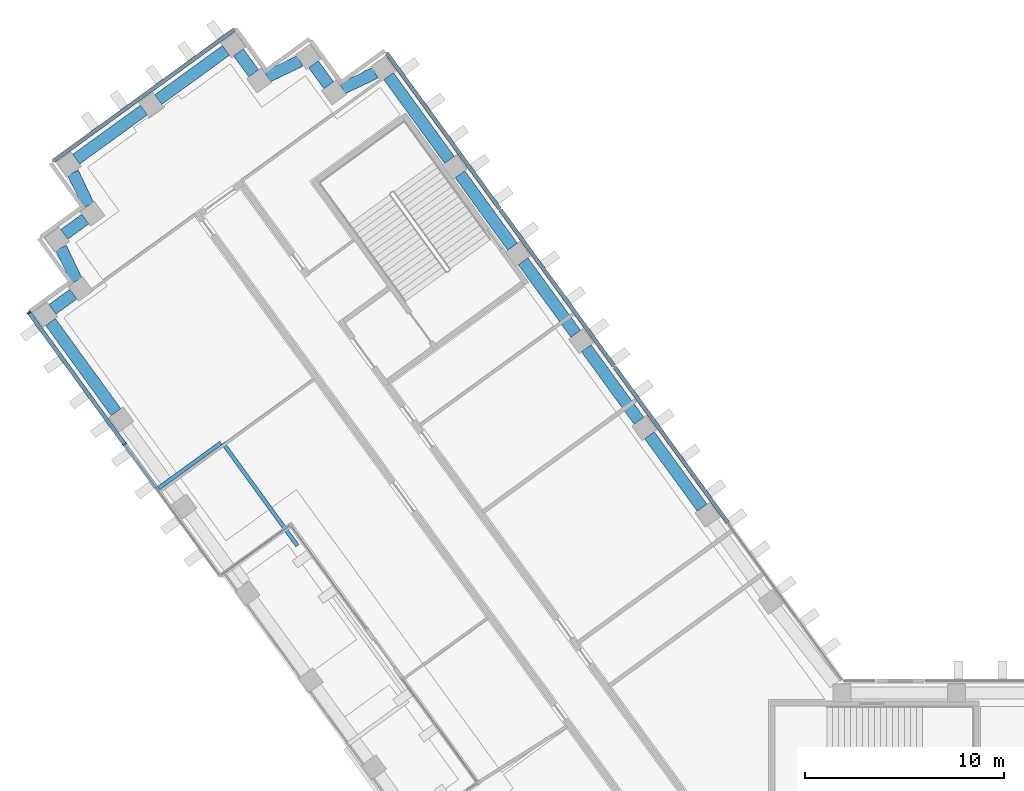
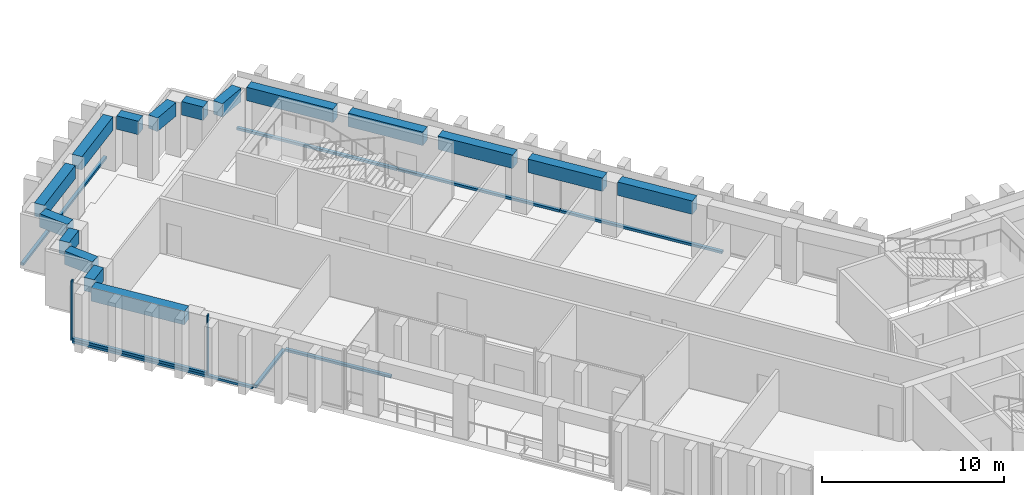
"""IFC4 building model written with IfcOpenShell, lengths in metres."""

from ifc_helpers import new_model, si_unit, direction, frame, origin, origin_2d, place, context, subcontext, project, spatial, rectangle, extrude, material, material_profile, profile_set, type_object, element, aggregate, save


model = new_model("IFC4")

# Units and contexts
model_context = context("Model", 3, precision=1e-05, world=origin(), true_north=direction((0.0, 1.0)))
body_context = subcontext(model_context, "Body", "Model", "MODEL_VIEW")
ifc_project = project(units=[si_unit("LENGTHUNIT", "METRE"), si_unit("AREAUNIT", "SQUARE_METRE"), si_unit("VOLUMEUNIT", "CUBIC_METRE"), si_unit("PLANEANGLEUNIT", "RADIAN"), si_unit("MASSUNIT", "GRAM", prefix="KILO")], contexts=[model_context])

# Site, building, storey
site_placement = place(None, origin())
site = spatial("IfcSite", under=ifc_project, at=site_placement, CompositionType="ELEMENT")
building_placement = place(site_placement, origin())
building = spatial("IfcBuilding", under=site, at=building_placement, Name="Quipu Civic Tower", CompositionType="ELEMENT")
storey_1_placement = place(building_placement, frame((0.0, 0.0, 51.0)))
storey_1 = spatial("IfcBuildingStorey", under=building, at=storey_1_placement, Name="L11", CompositionType="ELEMENT", Elevation=51.0)

# Curtain wall, members
ifc_material_1 = material(Name="Insulated glass unit", Category="glass")
curtain_wall_type = type_object("IfcCurtainWallType", Name="Office curtain wall CW1", PredefinedType="NOTDEFINED", material=ifc_material_1)
curtain_wall_1_placement = place(storey_1_placement, origin())
curtain_wall_1 = element("IfcCurtainWall", 1, at=curtain_wall_1_placement, inside=storey_1, type_object=curtain_wall_type, Name="Office curtain wall CW1 L11 run 1", PredefinedType="NOTDEFINED")
ifc_material_2 = material(Name="Anodised aluminium", Category="aluminium")
ifc_material_profile_1 = material_profile(ifc_material_2, rectangle(XDim=0.199951171875, YDim=0.080078125, at=origin_2d()), Name="RECT 200x80")
ifc_profile_set_1 = profile_set([ifc_material_profile_1], Name="Anodised aluminium")
member_type_1 = type_object("IfcMemberType", Name="Mullion CW1", PredefinedType="MULLION", material=ifc_profile_set_1)
member_1_placement = place(storey_1_placement, frame((-55.23046875, 29.606201171875, 0.080078125), z_axis=(0.0, 0.0, 1.0), x_axis=(0.809016809019, 0.587785507413, 0.0)))
member_1 = element("IfcMember", 2, at=member_1_placement, type_object=member_type_1, Name="CW1 mullion 1", PredefinedType="MULLION", context=body_context, shape_type="SweptSolid", body=[
    extrude(rectangle(XDim=0.199951171875, YDim=0.080078125, at=origin_2d()), origin(), (0.0, 0.0, 1.0), 4.0),
])
member_2_placement = place(storey_1_placement, frame((-50.434326171875, 23.004638671875, 0.080078125), z_axis=(0.0, 0.0, 1.0), x_axis=(0.809016809019, 0.587785507413, 0.0)))
member_2 = element("IfcMember", 3, at=member_2_placement, type_object=member_type_1, Name="CW1 mullion 2", PredefinedType="MULLION", context=body_context, shape_type="SweptSolid", body=[
    extrude(rectangle(XDim=0.199951171875, YDim=0.080078125, at=origin_2d()), origin(), (0.0, 0.0, 1.0), 4.0),
])

# Beams
ifc_material_3 = material(Name="Concrete C50/60", Category="concrete")
ifc_material_profile_2 = material_profile(ifc_material_3, rectangle(XDim=0.60009765625, YDim=0.89990234375, at=origin_2d()), Name="RC600x900")
ifc_profile_set_2 = profile_set([ifc_material_profile_2], Name="Concrete C50/60")
beam_type = type_object("IfcBeamType", Name="Spandrel beam RC 600x900 C50/60", PredefinedType="SPANDREL", material=ifc_profile_set_2)
for number, where, z_axis, x_axis, name in (
    (4, (-21.411865234375, 19.807861328125, 3.199951171875), (-0.587778073121, 0.809022210299, 0.0), (-0.809022210299, -0.587778073121, 0.0), "Spandrel beam L11 W-IN-02 to W-IN-03"),
    (5, (-24.585693359375, 24.1767578125, 3.199951171875), (-0.587778073121, 0.809022210299, 0.0), (-0.809022210299, -0.587778073121, 0.0), "Spandrel beam L11 W-IN-03 to W-IN-04"),
    (6, (-27.759765625, 28.545654296875, 3.199951171875), (-0.587742561851, 0.809048009076, 0.0), (-0.809048009076, -0.587742561851, 0.0), "Spandrel beam L11 W-IN-04 to W-IN-05"),
    (7, (-30.93359375, 32.914306640625, 3.199951171875), (-0.587716763865, 0.809066749701, 0.0), (-0.809066749701, -0.587716763865, 0.0), "Spandrel beam L11 W-IN-05 to W-IN-06"),
):
    element("IfcBeam", number, at=place(storey_1_placement, frame(where, z_axis=z_axis, x_axis=x_axis)), inside=storey_1, type_object=beam_type, Name=name, PredefinedType="SPANDREL", context=body_context, shape_type="SweptSolid", body=[
        extrude(rectangle(XDim=0.60009765625, YDim=0.89990234375, at=origin_2d()), origin(), (0.0, 0.0, 1.0), 4.5),
    ])
beam_1_placement = place(storey_1_placement, frame((-34.107421875, 37.283203125, 3.199951171875), z_axis=(-0.587732861365, 0.80905505602, 0.0), x_axis=(-0.80905505602, -0.587732861365, 0.0)))
element("IfcBeam", 8, at=beam_1_placement, inside=storey_1, type_object=beam_type, Name="Spandrel beam L11 W-IN-06 to T-Wi.0-W50", PredefinedType="SPANDREL", context=body_context, shape_type="SweptSolid", body=[
    extrude(rectangle(XDim=0.60009765625, YDim=0.89990234375, at=origin_2d()), origin(), (0.0, 0.0, 1.0), 5.194580078125),
])
beam_2_placement = place(storey_1_placement, frame((-37.837890625, 41.65283203125, 3.199951171875), z_axis=(-0.90245397739, -0.430786279601, 0.0), x_axis=(0.430786279601, -0.90245397739, 0.0)))
element("IfcBeam", 9, at=beam_2_placement, inside=storey_1, type_object=beam_type, Name="Spandrel beam L11 T-Wi.0-W50 to T-Wi.1-W50", PredefinedType="SPANDREL", context=body_context, shape_type="SweptSolid", body=[
    extrude(rectangle(XDim=0.60009765625, YDim=0.89990234375, at=origin_2d()), origin(), (0.0, 0.0, 1.0), 1.83349609375),
])
beam_3_placement = place(storey_1_placement, frame((-40.170166015625, 41.02978515625, 3.199951171875), z_axis=(-0.588461937499, 0.808524921146, 0.0), x_axis=(-0.808524921146, -0.588461937499, 0.0)))
element("IfcBeam", 10, at=beam_3_placement, inside=storey_1, type_object=beam_type, Name="Spandrel beam L11 T-Wi.1-W50 to T-Wi.2-W50", PredefinedType="SPANDREL", context=body_context, shape_type="SweptSolid", body=[
    extrude(rectangle(XDim=0.60009765625, YDim=0.89990234375, at=origin_2d()), origin(), (0.0, 0.0, 1.0), 1.30029296875),
])
beam_4_placement = place(storey_1_placement, frame((-41.613037109375, 42.248046875, 3.199951171875), z_axis=(-0.902613270121, -0.430452418511, 0.0), x_axis=(0.430452418511, -0.902613270121, 0.0)))
element("IfcBeam", 11, at=beam_4_placement, inside=storey_1, type_object=beam_type, Name="Spandrel beam L11 T-Wi.2-W50 to T-Wi.3-W50", PredefinedType="SPANDREL", context=body_context, shape_type="SweptSolid", body=[
    extrude(rectangle(XDim=0.60009765625, YDim=0.89990234375, at=origin_2d()), origin(), (0.0, 0.0, 1.0), 1.826416015625),
])
beam_5_placement = place(storey_1_placement, frame((-43.939453125, 41.628662109375, 3.199951171875), z_axis=(-0.588383572423, 0.808581951136, 0.0), x_axis=(-0.808581951136, -0.588383572423, 0.0)))
element("IfcBeam", 12, at=beam_5_placement, inside=storey_1, type_object=beam_type, Name="Spandrel beam L11 T-Wi.3-W50 to T-Wi.4-W50", PredefinedType="SPANDREL", context=body_context, shape_type="SweptSolid", body=[
    extrude(rectangle(XDim=0.60009765625, YDim=0.89990234375, at=origin_2d()), origin(), (0.0, 0.0, 1.0), 1.3017578125),
])
beam_6_placement = place(storey_1_placement, frame((-45.333984375, 42.780517578125, 3.199951171875), z_axis=(-0.808969789945, -0.58785021813, 0.0), x_axis=(0.58785021813, -0.808969789945, 0.0)))
element("IfcBeam", 13, at=beam_6_placement, inside=storey_1, type_object=beam_type, Name="Spandrel beam L11 T-Wi.4-W50 to TIP-W-01-W50", PredefinedType="SPANDREL", context=body_context, shape_type="SweptSolid", body=[
    extrude(rectangle(XDim=0.60009765625, YDim=0.89990234375, at=origin_2d()), origin(), (0.0, 0.0, 1.0), 4.199951171875),
])
beam_7_placement = place(storey_1_placement, frame((-49.459716796875, 39.782470703125, 3.199951171875), z_axis=(-0.808959834407, -0.587863918196, 0.0), x_axis=(0.587863918196, -0.808959834407, 0.0)))
element("IfcBeam", 14, at=beam_7_placement, inside=storey_1, type_object=beam_type, Name="Spandrel beam L11 TIP-W-01-W50 to T-Wo.0-W50", PredefinedType="SPANDREL", context=body_context, shape_type="SweptSolid", body=[
    extrude(rectangle(XDim=0.60009765625, YDim=0.89990234375, at=origin_2d()), origin(), (0.0, 0.0, 1.0), 4.1982421875),
])
beam_8_placement = place(storey_1_placement, frame((-53.023193359375, 36.63671875, 3.199951171875), z_axis=(0.430166558323, -0.902749540072, 0.0), x_axis=(0.902749540072, 0.430166558323, 0.0)))
element("IfcBeam", 15, at=beam_8_placement, inside=storey_1, type_object=beam_type, Name="Spandrel beam L11 T-Wo.0-W50 to T-Wo.1-W50", PredefinedType="SPANDREL", context=body_context, shape_type="SweptSolid", body=[
    extrude(rectangle(XDim=0.60009765625, YDim=0.89990234375, at=origin_2d()), origin(), (0.0, 0.0, 1.0), 1.830322265625),
])
beam_9_placement = place(storey_1_placement, frame((-52.40283203125, 34.306396484375, 3.199951171875), z_axis=(-0.808509099783, -0.588483674853, 0.0), x_axis=(0.588483674853, -0.808509099783, 0.0)))
element("IfcBeam", 16, at=beam_9_placement, inside=storey_1, type_object=beam_type, Name="Spandrel beam L11 T-Wo.1-W50 to T-Wo.2-W50", PredefinedType="SPANDREL", context=body_context, shape_type="SweptSolid", body=[
    extrude(rectangle(XDim=0.60009765625, YDim=0.89990234375, at=origin_2d()), origin(), (0.0, 0.0, 1.0), 1.302734375),
])
beam_10_placement = place(storey_1_placement, frame((-53.62255859375, 32.8623046875, 3.199951171875), z_axis=(0.431446050156, -0.902138739776, 0.0), x_axis=(0.902138739776, 0.431446050156, 0.0)))
element("IfcBeam", 17, at=beam_10_placement, inside=storey_1, type_object=beam_type, Name="Spandrel beam L11 T-Wo.2-W50 to T-Wo.3-W50", PredefinedType="SPANDREL", context=body_context, shape_type="SweptSolid", body=[
    extrude(rectangle(XDim=0.60009765625, YDim=0.89990234375, at=origin_2d()), origin(), (0.0, 0.0, 1.0), 1.828857421875),
])
beam_11_placement = place(storey_1_placement, frame((-53.0, 30.53466796875, 3.199951171875), z_axis=(-0.808549242423, -0.588428519514, 0.0), x_axis=(0.588428519514, -0.808549242423, 0.0)))
element("IfcBeam", 18, at=beam_11_placement, inside=storey_1, type_object=beam_type, Name="Spandrel beam L11 T-Wo.3-W50 to T-Wo.4-W50", PredefinedType="SPANDREL", context=body_context, shape_type="SweptSolid", body=[
    extrude(rectangle(XDim=0.60009765625, YDim=0.89990234375, at=origin_2d()), origin(), (0.0, 0.0, 1.0), 1.2998046875),
])
beam_12_placement = place(storey_1_placement, frame((-54.150390625, 29.140869140625, 3.199951171875), z_axis=(0.587772657145, -0.809026145135, 0.0), x_axis=(0.809026145135, 0.587772657145, 0.0)))
element("IfcBeam", 19, at=beam_12_placement, inside=storey_1, type_object=beam_type, Name="Spandrel beam L11 T-Wo.4-W50 to W-OUT-07", PredefinedType="SPANDREL", context=body_context, shape_type="SweptSolid", body=[
    extrude(rectangle(XDim=0.60009765625, YDim=0.89990234375, at=origin_2d()), origin(), (0.0, 0.0, 1.0), 5.603271484375),
])

# Storey
storey_2_placement = place(building_placement, frame((0.0, 0.0, 47.0)))
storey_2 = spatial("IfcBuildingStorey", under=building, at=storey_2_placement, Name="L10", CompositionType="ELEMENT", Elevation=47.0)

# Curtain wall, member
curtain_wall_2_placement = place(storey_2_placement, origin())
curtain_wall_2 = element("IfcCurtainWall", 20, at=curtain_wall_2_placement, inside=storey_2, type_object=curtain_wall_type, Name="Office curtain wall CW1 L10 run 1", PredefinedType="NOTDEFINED")
ifc_material_4 = material(Name="Anodised aluminium", Category="aluminium")
ifc_material_profile_3 = material_profile(ifc_material_4, rectangle(XDim=0.199951171875, YDim=0.159912109375, at=origin_2d()), Name="RECT 200x160")
ifc_profile_set_3 = profile_set([ifc_material_profile_3], Name="Anodised aluminium")
member_type_2 = type_object("IfcMemberType", Name="Transom CW1", PredefinedType="USERDEFINED", material=ifc_profile_set_3)
member_3_placement = place(storey_1_placement, frame((-55.20703125, 29.573974609375, 0.0), z_axis=(0.587783274816, -0.809018431092, 0.0), x_axis=(0.809018431092, 0.587783274816, 0.0)))
member_3 = element("IfcMember", 21, at=member_3_placement, inside=storey_1, type_object=member_type_2, Name="CW1 transom 1.2", ObjectType="TRANSOM", PredefinedType="USERDEFINED", context=body_context, shape_type="SweptSolid", body=[
    extrude(rectangle(XDim=0.199951171875, YDim=0.159912109375, at=origin_2d()), origin(), (0.0, 0.0, 1.0), 10.840087890625),
])
aggregate(curtain_wall_2, [member_3])

curtain_wall_3_placement = place(storey_2_placement, origin())
curtain_wall_3 = element("IfcCurtainWall", 22, at=curtain_wall_3_placement, inside=storey_2, type_object=curtain_wall_type, Name="Office curtain wall CW1 L10 run 2", PredefinedType="NOTDEFINED")
member_4_placement = place(storey_1_placement, frame((-48.7236328125, 20.786376953125, 0.0), z_axis=(0.809003449437, 0.587803894848, 0.0), x_axis=(-0.587803894848, 0.809003449437, 0.0)))
member_4 = element("IfcMember", 23, at=member_4_placement, inside=storey_1, type_object=member_type_2, Name="CW1 transom 1.2", ObjectType="TRANSOM", PredefinedType="USERDEFINED", context=body_context, shape_type="SweptSolid", body=[
    extrude(rectangle(XDim=0.199951171875, YDim=0.159912109375, at=origin_2d()), origin(), (0.0, 0.0, 1.0), 3.868408203125),
])
aggregate(curtain_wall_3, [member_4])

curtain_wall_4_placement = place(storey_2_placement, origin())
curtain_wall_4 = element("IfcCurtainWall", 24, at=curtain_wall_4_placement, inside=storey_2, type_object=curtain_wall_type, Name="Office curtain wall CW1 L10 run 3", PredefinedType="NOTDEFINED")
member_5_placement = place(storey_1_placement, frame((-45.482177734375, 23.042724609375, 0.0), z_axis=(0.587785815007, -0.809016585539, 0.0), x_axis=(0.809016585539, 0.587785815007, 0.0)))
member_5 = element("IfcMember", 25, at=member_5_placement, inside=storey_1, type_object=member_type_2, Name="CW1 transom 1.2", ObjectType="TRANSOM", PredefinedType="USERDEFINED", context=body_context, shape_type="SweptSolid", body=[
    extrude(rectangle(XDim=0.199951171875, YDim=0.159912109375, at=origin_2d()), origin(), (0.0, 0.0, 1.0), 6.358642578125),
])
aggregate(curtain_wall_4, [member_5])

# Curtain wall, members
curtain_wall_5_placement = place(storey_2_placement, origin())
curtain_wall_5 = element("IfcCurtainWall", 26, at=curtain_wall_5_placement, inside=storey_2, type_object=curtain_wall_type, Name="Office curtain wall CW1 L09 run 35", PredefinedType="NOTDEFINED")
member_6_placement = place(storey_1_placement, frame((-20.105224609375, 19.029296875, 0.080078125), z_axis=(-0.587793764301, 0.80901080997, 0.0), x_axis=(-0.80901080997, -0.587793764301, 0.0)))
member_6 = element("IfcMember", 27, at=member_6_placement, inside=storey_1, type_object=member_type_2, Name="CW1 transom 2.3", ObjectType="TRANSOM", PredefinedType="USERDEFINED", context=body_context, shape_type="SweptSolid", body=[
    extrude(rectangle(XDim=0.199951171875, YDim=0.159912109375, at=origin_2d()), origin(), (0.0, 0.0, 1.0), 9.680908203125),
])
member_7_placement = place(storey_1_placement, frame((-25.842529296875, 26.926025390625, 0.080078125), z_axis=(-0.58778177227, 0.809019522748, 0.0), x_axis=(-0.809019522748, -0.58778177227, 0.0)))
member_7 = element("IfcMember", 28, at=member_7_placement, inside=storey_1, type_object=member_type_2, Name="CW1 transom 3.3", ObjectType="TRANSOM", PredefinedType="USERDEFINED", context=body_context, shape_type="SweptSolid", body=[
    extrude(rectangle(XDim=0.199951171875, YDim=0.159912109375, at=origin_2d()), origin(), (0.0, 0.0, 1.0), 9.68115234375),
])
member_8_placement = place(storey_1_placement, frame((-31.580078125, 34.822998046875, 0.080078125), z_axis=(-0.587775627857, 0.809023986849, 0.0), x_axis=(-0.809023986849, -0.587775627857, 0.0)))
member_8 = element("IfcMember", 29, at=member_8_placement, inside=storey_1, type_object=member_type_2, Name="CW1 transom 4.3", ObjectType="TRANSOM", PredefinedType="USERDEFINED", context=body_context, shape_type="SweptSolid", body=[
    extrude(rectangle(XDim=0.199951171875, YDim=0.159912109375, at=origin_2d()), origin(), (0.0, 0.0, 1.0), 9.64111328125),
])
aggregate(curtain_wall_5, [member_6, member_7, member_8])

# Curtain wall, member
curtain_wall_6_placement = place(storey_2_placement, origin())
curtain_wall_6 = element("IfcCurtainWall", 30, at=curtain_wall_6_placement, inside=storey_2, type_object=curtain_wall_type, Name="Office curtain wall CW1 L09 run 40", PredefinedType="NOTDEFINED")
member_9_placement = place(storey_1_placement, frame((-44.9013671875, 43.8349609375, 0.080078125), z_axis=(-0.809032792449, -0.587763507495, 0.0), x_axis=(0.587763507495, -0.809032792449, 0.0)))
member_9 = element("IfcMember", 31, at=member_9_placement, inside=storey_1, type_object=member_type_2, Name="CW1 transom 1.3", ObjectType="TRANSOM", PredefinedType="USERDEFINED", context=body_context, shape_type="SweptSolid", body=[
    extrude(rectangle(XDim=0.199951171875, YDim=0.159912109375, at=origin_2d()), origin(), (0.0, 0.0, 1.0), 11.239990234375),
])
aggregate(curtain_wall_6, [member_9])

# Member
member_10_placement = place(storey_1_placement, frame((-55.20703125, 29.573974609375, 0.159912109375), z_axis=(0.587781767955, -0.809019525883, 0.0), x_axis=(0.809019525883, 0.587781767955, 0.0)))
member_10 = element("IfcMember", 32, at=member_10_placement, type_object=member_type_2, Name="CW1 transom 1.1", ObjectType="TRANSOM", PredefinedType="USERDEFINED", context=body_context, shape_type="SweptSolid", body=[
    extrude(rectangle(XDim=0.199951171875, YDim=0.159912109375, at=origin_2d()), origin(), (0.0, 0.0, 1.0), 8.080078125),
])

aggregate(curtain_wall_1, [member_1, member_2, member_10])

save(model, "model.ifc")
